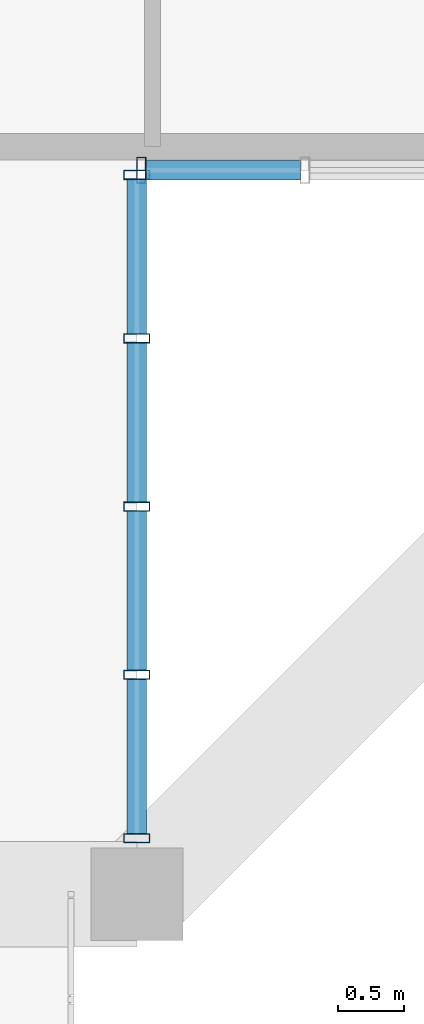
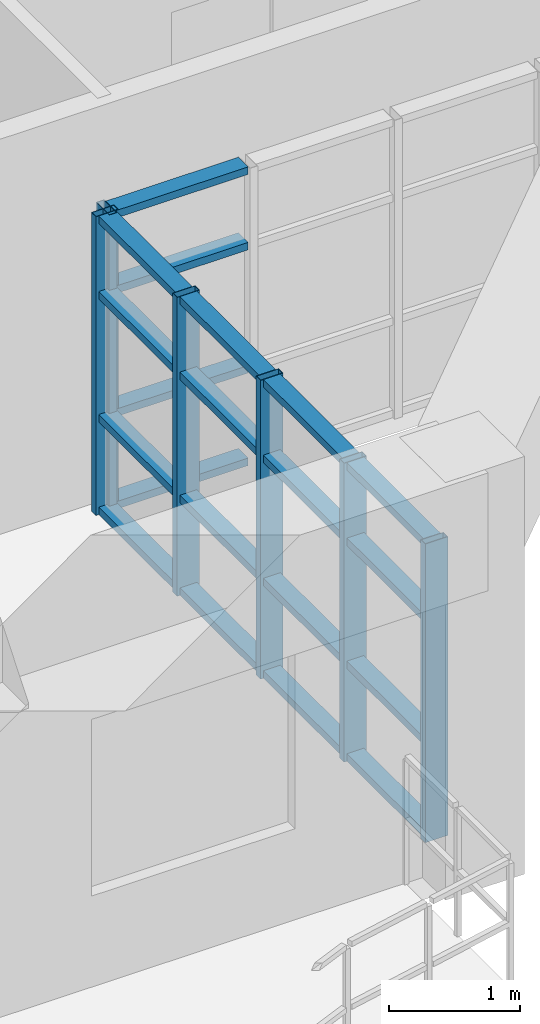
# One storey, part 4 of 27: 26 members, 2 elements without a shape of their own.
"""IFC4 building model written with IfcOpenShell, lengths in metres."""

from ifc_helpers import new_model, si_unit, direction, frame, origin, origin_2d, place, context, subcontext, project, spatial, hollow_rectangle, extrude, source, transform, mapped, material, layer, layer_set, material_profile, profile_set, type_object, element, aggregate, save


model = new_model("IFC4")

# Units and contexts
model_context = context("Model", 3, precision=1e-05, world=origin(), true_north=direction((0.0, 1.0)))
body_context = subcontext(model_context, "Body", "Model", "MODEL_VIEW")
ifc_project = project(units=[si_unit("LENGTHUNIT", "METRE"), si_unit("AREAUNIT", "SQUARE_METRE"), si_unit("VOLUMEUNIT", "CUBIC_METRE"), si_unit("PLANEANGLEUNIT", "RADIAN"), si_unit("MASSUNIT", "GRAM", prefix="KILO")], contexts=[model_context])

# Site, building, storey
site_placement = place(None, origin())
site = spatial("IfcSite", under=ifc_project, at=site_placement, CompositionType="ELEMENT")
building_placement = place(site_placement, origin())
building = spatial("IfcBuilding", under=site, at=building_placement, Name="Saelheon Loggia Tower", CompositionType="ELEMENT")
storey_placement = place(building_placement, frame((0.0, 0.0, 226.199951171875)))
storey = spatial("IfcBuildingStorey", under=building, at=storey_placement, Name="L70", CompositionType="ELEMENT", Elevation=226.199951171875)

# Curtain wall, members
ifc_material_1 = material(Name="High-Wind Aluminium and Triple Laminated Glass", Category="aluminium")
ifc_layer = layer(ifc_material_1, 0.179931640625)
ifc_layer_set = layer_set([ifc_layer], Name="High-Wind Aluminium and Triple Laminated Glass")
curtain_wall_type = type_object("IfcCurtainWallType", Name="CW_TowerLoggiaHigh", PredefinedType="NOTDEFINED", material=ifc_layer_set)
curtain_wall_1_placement = place(storey_placement, origin())
curtain_wall_1 = element("IfcCurtainWall", 1, at=curtain_wall_1_placement, inside=storey, type_object=curtain_wall_type, Name="L70 Corner Notch Glazing SE1", PredefinedType="NOTDEFINED")
ifc_material_2 = material(Name="Anodised Aluminium 6063-T6", Category="aluminium")
ifc_material_profile_1 = material_profile(ifc_material_2, hollow_rectangle(XDim=0.070068359375, YDim=0.14990234375, WallThickness=0.0048828125, at=origin_2d()), Name="RHS-150x70x5")
ifc_profile_set_1 = profile_set([ifc_material_profile_1], Name="Anodised Aluminium 6063-T6")
member_type_1 = type_object("IfcMemberType", Name="CW_TowerLoggiaHigh_Transom", PredefinedType="USERDEFINED", material=ifc_profile_set_1)
shared_shape_1 = source(origin(), body_context, "Body", "SweptSolid", [
    extrude(hollow_rectangle(XDim=0.070068359375, YDim=0.14990234375, WallThickness=0.0048828125, at=origin_2d()), origin(), (0.0, 0.0, 1.0), 1.172607421875),
])
member_1_placement = place(storey_placement, frame((49.25, 6.4599609375, 0.03515625), z_axis=(0.0, 1.0, 0.0), x_axis=(0.0, 0.0, 1.0)))
member_1 = element("IfcMember", 2, at=member_1_placement, type_object=member_type_1, Name="CW4 transom 1.1", ObjectType="TRANSOM", PredefinedType="USERDEFINED", context=body_context, shape_type="MappedRepresentation", body=[
    mapped(shared_shape_1, transform((0.0, 0.0, 0.0), scale=1.0)),
])
member_2_placement = place(storey_placement, frame((49.25, 6.4599609375, 0.900146484375), z_axis=(0.0, 1.0, 0.0), x_axis=(0.0, 0.0, 1.0)))
member_2 = element("IfcMember", 3, at=member_2_placement, type_object=member_type_1, Name="CW4 transom 1.2", ObjectType="TRANSOM", PredefinedType="USERDEFINED", context=body_context, shape_type="MappedRepresentation", body=[
    mapped(shared_shape_1, transform((0.0, 0.0, 0.0), scale=1.0)),
])
member_3_placement = place(storey_placement, frame((49.25, 6.4599609375, 2.050048828125), z_axis=(0.0, 1.0, 0.0), x_axis=(0.0, 0.0, 1.0)))
member_3 = element("IfcMember", 4, at=member_3_placement, type_object=member_type_1, Name="CW4 transom 1.3", ObjectType="TRANSOM", PredefinedType="USERDEFINED", context=body_context, shape_type="MappedRepresentation", body=[
    mapped(shared_shape_1, transform((0.0, 0.0, 0.0), scale=1.0)),
])
member_4_placement = place(storey_placement, frame((49.25, 6.4599609375, 2.755126953125), z_axis=(0.0, 1.0, 0.0), x_axis=(0.0, 0.0, 1.0)))
member_4 = element("IfcMember", 5, at=member_4_placement, type_object=member_type_1, Name="CW4 transom 1.4", ObjectType="TRANSOM", PredefinedType="USERDEFINED", context=body_context, shape_type="MappedRepresentation", body=[
    mapped(shared_shape_1, transform((0.0, 0.0, 0.0), scale=1.0)),
])
shared_shape_2 = source(origin(), body_context, "Body", "SweptSolid", [
    extrude(hollow_rectangle(XDim=0.070068359375, YDim=0.14990234375, WallThickness=0.0048828125, at=origin_2d()), origin(), (0.0, 0.0, 1.0), 1.20751953125),
])
member_5_placement = place(storey_placement, frame((49.25, 7.702392578125, 0.03515625), z_axis=(0.0, 1.0, 0.0), x_axis=(0.0, 0.0, 1.0)))
member_5 = element("IfcMember", 6, at=member_5_placement, type_object=member_type_1, Name="CW4 transom 2.1", ObjectType="TRANSOM", PredefinedType="USERDEFINED", context=body_context, shape_type="MappedRepresentation", body=[
    mapped(shared_shape_2, transform((0.0, 0.0, 0.0), scale=1.0)),
])
member_6_placement = place(storey_placement, frame((49.25, 7.702392578125, 0.900146484375), z_axis=(0.0, 1.0, 0.0), x_axis=(0.0, 0.0, 1.0)))
member_6 = element("IfcMember", 7, at=member_6_placement, type_object=member_type_1, Name="CW4 transom 2.2", ObjectType="TRANSOM", PredefinedType="USERDEFINED", context=body_context, shape_type="MappedRepresentation", body=[
    mapped(shared_shape_2, transform((0.0, 0.0, 0.0), scale=1.0)),
])
member_7_placement = place(storey_placement, frame((49.25, 7.702392578125, 2.050048828125), z_axis=(0.0, 1.0, 0.0), x_axis=(0.0, 0.0, 1.0)))
member_7 = element("IfcMember", 8, at=member_7_placement, type_object=member_type_1, Name="CW4 transom 2.3", ObjectType="TRANSOM", PredefinedType="USERDEFINED", context=body_context, shape_type="MappedRepresentation", body=[
    mapped(shared_shape_2, transform((0.0, 0.0, 0.0), scale=1.0)),
])
member_8_placement = place(storey_placement, frame((49.25, 7.702392578125, 2.755126953125), z_axis=(0.0, 1.0, 0.0), x_axis=(0.0, 0.0, 1.0)))
member_8 = element("IfcMember", 9, at=member_8_placement, type_object=member_type_1, Name="CW4 transom 2.4", ObjectType="TRANSOM", PredefinedType="USERDEFINED", context=body_context, shape_type="MappedRepresentation", body=[
    mapped(shared_shape_2, transform((0.0, 0.0, 0.0), scale=1.0)),
])
member_9_placement = place(storey_placement, frame((49.25, 8.97998046875, 0.03515625), z_axis=(0.0, 1.0, 0.0), x_axis=(0.0, 0.0, 1.0)))
member_9 = element("IfcMember", 10, at=member_9_placement, type_object=member_type_1, Name="CW4 transom 3.1", ObjectType="TRANSOM", PredefinedType="USERDEFINED", context=body_context, shape_type="MappedRepresentation", body=[
    mapped(shared_shape_2, transform((0.0, 0.0, 0.0), scale=1.0)),
])
member_10_placement = place(storey_placement, frame((49.25, 8.97998046875, 0.900146484375), z_axis=(0.0, 1.0, 0.0), x_axis=(0.0, 0.0, 1.0)))
member_10 = element("IfcMember", 11, at=member_10_placement, type_object=member_type_1, Name="CW4 transom 3.2", ObjectType="TRANSOM", PredefinedType="USERDEFINED", context=body_context, shape_type="MappedRepresentation", body=[
    mapped(shared_shape_2, transform((0.0, 0.0, 0.0), scale=1.0)),
])
member_11_placement = place(storey_placement, frame((49.25, 8.97998046875, 2.050048828125), z_axis=(0.0, 1.0, 0.0), x_axis=(0.0, 0.0, 1.0)))
member_11 = element("IfcMember", 12, at=member_11_placement, type_object=member_type_1, Name="CW4 transom 3.3", ObjectType="TRANSOM", PredefinedType="USERDEFINED", context=body_context, shape_type="MappedRepresentation", body=[
    mapped(shared_shape_2, transform((0.0, 0.0, 0.0), scale=1.0)),
])
member_12_placement = place(storey_placement, frame((49.25, 8.97998046875, 2.755126953125), z_axis=(0.0, 1.0, 0.0), x_axis=(0.0, 0.0, 1.0)))
member_12 = element("IfcMember", 13, at=member_12_placement, type_object=member_type_1, Name="CW4 transom 3.4", ObjectType="TRANSOM", PredefinedType="USERDEFINED", context=body_context, shape_type="MappedRepresentation", body=[
    mapped(shared_shape_2, transform((0.0, 0.0, 0.0), scale=1.0)),
])
shared_shape_3 = source(origin(), body_context, "Body", "SweptSolid", [
    extrude(hollow_rectangle(XDim=0.070068359375, YDim=0.14990234375, WallThickness=0.0048828125, at=origin_2d()), origin(), (0.0, 0.0, 1.0), 1.17236328125),
])
member_13_placement = place(storey_placement, frame((49.25, 10.257568359375, 0.03515625), z_axis=(0.0, 1.0, 0.0), x_axis=(0.0, 0.0, 1.0)))
member_13 = element("IfcMember", 14, at=member_13_placement, type_object=member_type_1, Name="CW4 transom 4.1", ObjectType="TRANSOM", PredefinedType="USERDEFINED", context=body_context, shape_type="MappedRepresentation", body=[
    mapped(shared_shape_3, transform((0.0, 0.0, 0.0), scale=1.0)),
])
member_14_placement = place(storey_placement, frame((49.25, 10.257568359375, 0.900146484375), z_axis=(0.0, 1.0, 0.0), x_axis=(0.0, 0.0, 1.0)))
member_14 = element("IfcMember", 15, at=member_14_placement, type_object=member_type_1, Name="CW4 transom 4.2", ObjectType="TRANSOM", PredefinedType="USERDEFINED", context=body_context, shape_type="MappedRepresentation", body=[
    mapped(shared_shape_3, transform((0.0, 0.0, 0.0), scale=1.0)),
])
member_15_placement = place(storey_placement, frame((49.25, 10.257568359375, 2.050048828125), z_axis=(0.0, 1.0, 0.0), x_axis=(0.0, 0.0, 1.0)))
member_15 = element("IfcMember", 16, at=member_15_placement, type_object=member_type_1, Name="CW4 transom 4.3", ObjectType="TRANSOM", PredefinedType="USERDEFINED", context=body_context, shape_type="MappedRepresentation", body=[
    mapped(shared_shape_3, transform((0.0, 0.0, 0.0), scale=1.0)),
])
member_16_placement = place(storey_placement, frame((49.25, 10.257568359375, 2.755126953125), z_axis=(0.0, 1.0, 0.0), x_axis=(0.0, 0.0, 1.0)))
member_16 = element("IfcMember", 17, at=member_16_placement, type_object=member_type_1, Name="CW4 transom 4.4", ObjectType="TRANSOM", PredefinedType="USERDEFINED", context=body_context, shape_type="MappedRepresentation", body=[
    mapped(shared_shape_3, transform((0.0, 0.0, 0.0), scale=1.0)),
])

curtain_wall_2_placement = place(storey_placement, origin())
curtain_wall_2 = element("IfcCurtainWall", 18, at=curtain_wall_2_placement, inside=storey, type_object=curtain_wall_type, Name="L70 Corner Notch Glazing SE2", PredefinedType="NOTDEFINED")
member_17_placement = place(storey_placement, frame((49.320068359375, 11.5, 0.03515625), z_axis=(1.0, 0.0, 0.0), x_axis=(0.0, 0.0, 1.0)))
member_17 = element("IfcMember", 19, at=member_17_placement, type_object=member_type_1, Name="CW4 transom 1.1", ObjectType="TRANSOM", PredefinedType="USERDEFINED", context=body_context, shape_type="MappedRepresentation", body=[
    mapped(shared_shape_3, transform((0.0, 0.0, 0.0), scale=1.0)),
])
member_18_placement = place(storey_placement, frame((49.320068359375, 11.5, 0.900146484375), z_axis=(1.0, 0.0, 0.0), x_axis=(0.0, 0.0, 1.0)))
member_18 = element("IfcMember", 20, at=member_18_placement, type_object=member_type_1, Name="CW4 transom 1.2", ObjectType="TRANSOM", PredefinedType="USERDEFINED", context=body_context, shape_type="MappedRepresentation", body=[
    mapped(shared_shape_3, transform((0.0, 0.0, 0.0), scale=1.0)),
])
member_19_placement = place(storey_placement, frame((49.320068359375, 11.5, 2.050048828125), z_axis=(1.0, 0.0, 0.0), x_axis=(0.0, 0.0, 1.0)))
member_19 = element("IfcMember", 21, at=member_19_placement, type_object=member_type_1, Name="CW4 transom 1.3", ObjectType="TRANSOM", PredefinedType="USERDEFINED", context=body_context, shape_type="MappedRepresentation", body=[
    mapped(shared_shape_3, transform((0.0, 0.0, 0.0), scale=1.0)),
])
member_20_placement = place(storey_placement, frame((49.320068359375, 11.5, 2.755126953125), z_axis=(1.0, 0.0, 0.0), x_axis=(0.0, 0.0, 1.0)))
member_20 = element("IfcMember", 22, at=member_20_placement, type_object=member_type_1, Name="CW4 transom 1.4", ObjectType="TRANSOM", PredefinedType="USERDEFINED", context=body_context, shape_type="MappedRepresentation", body=[
    mapped(shared_shape_3, transform((0.0, 0.0, 0.0), scale=1.0)),
])

# Member
ifc_material_profile_2 = material_profile(ifc_material_2, hollow_rectangle(XDim=0.070068359375, YDim=0.199951171875, WallThickness=0.0048828125, at=origin_2d()), Name="RHS-200x70x5")
ifc_profile_set_2 = profile_set([ifc_material_profile_2], Name="Anodised Aluminium 6063-T6")
member_type_2 = type_object("IfcMemberType", Name="CW_TowerLoggiaHigh_Mullion", PredefinedType="MULLION", material=ifc_profile_set_2)
shared_shape_4 = source(origin(), body_context, "Body", "SweptSolid", [
    extrude(hollow_rectangle(XDim=0.070068359375, YDim=0.199951171875, WallThickness=0.0048828125, at=origin_2d()), origin(), (0.0, 0.0, 1.0), 2.7900390625),
])
member_21_placement = place(storey_placement, frame((49.25, 6.425048828125, 0.0), z_axis=(0.0, 0.0, 1.0), x_axis=(0.0, 1.0, 0.0)))
member_21 = element("IfcMember", 23, at=member_21_placement, type_object=member_type_2, Name="CW4 mullion 1", PredefinedType="MULLION", context=body_context, shape_type="MappedRepresentation", body=[
    mapped(shared_shape_4, transform((0.0, 0.0, 0.0), scale=1.0)),
])

member_22_placement = place(storey_placement, frame((49.25, 7.66748046875, 0.0), z_axis=(0.0, 0.0, 1.0), x_axis=(0.0, 1.0, 0.0)))
member_22 = element("IfcMember", 24, at=member_22_placement, type_object=member_type_2, Name="CW4 mullion 2", PredefinedType="MULLION", context=body_context, shape_type="MappedRepresentation", body=[
    mapped(shared_shape_4, transform((0.0, 0.0, 0.0), scale=1.0)),
])

member_23_placement = place(storey_placement, frame((49.25, 8.945068359375, 0.0), z_axis=(0.0, 0.0, 1.0), x_axis=(0.0, 1.0, 0.0)))
member_23 = element("IfcMember", 25, at=member_23_placement, type_object=member_type_2, Name="CW4 mullion 3", PredefinedType="MULLION", context=body_context, shape_type="MappedRepresentation", body=[
    mapped(shared_shape_4, transform((0.0, 0.0, 0.0), scale=1.0)),
])

member_24_placement = place(storey_placement, frame((49.25, 10.222412109375, 0.0), z_axis=(0.0, 0.0, 1.0), x_axis=(0.0, 1.0, 0.0)))
member_24 = element("IfcMember", 26, at=member_24_placement, type_object=member_type_2, Name="CW4 mullion 4", PredefinedType="MULLION", context=body_context, shape_type="MappedRepresentation", body=[
    mapped(shared_shape_4, transform((0.0, 0.0, 0.0), scale=1.0)),
])

member_25_placement = place(storey_placement, frame((49.25, 11.465087890625, 0.0), z_axis=(0.0, 0.0, 1.0), x_axis=(0.0, 1.0, 0.0)))
member_25 = element("IfcMember", 27, at=member_25_placement, type_object=member_type_2, Name="CW4 mullion 5", PredefinedType="MULLION", context=body_context, shape_type="MappedRepresentation", body=[
    mapped(shared_shape_4, transform((0.0, 0.0, 0.0), scale=1.0)),
])

aggregate(curtain_wall_1, [member_21, member_22, member_23, member_24, member_25, member_1, member_2, member_3, member_4, member_5, member_6, member_7, member_8, member_9, member_10, member_11, member_12, member_13, member_14, member_15, member_16])

member_26_placement = place(storey_placement, frame((49.284912109375, 11.5, 0.0), z_axis=(0.0, 0.0, 1.0), x_axis=(1.0, 0.0, 0.0)))
member_26 = element("IfcMember", 28, at=member_26_placement, type_object=member_type_2, Name="CW4 mullion 1", PredefinedType="MULLION", context=body_context, shape_type="MappedRepresentation", body=[
    mapped(shared_shape_4, transform((0.0, 0.0, 0.0), scale=1.0)),
])

aggregate(curtain_wall_2, [member_26, member_17, member_18, member_19, member_20])

save(model, "model.ifc")
